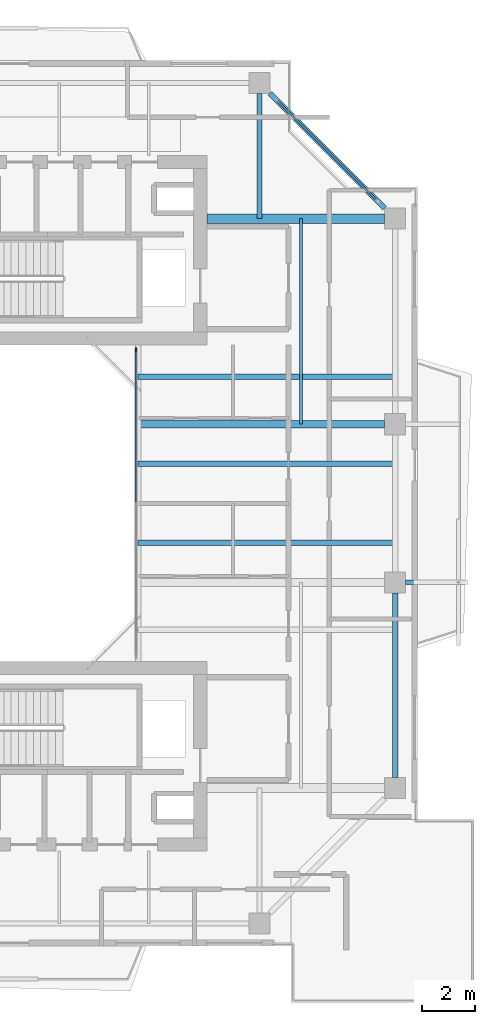
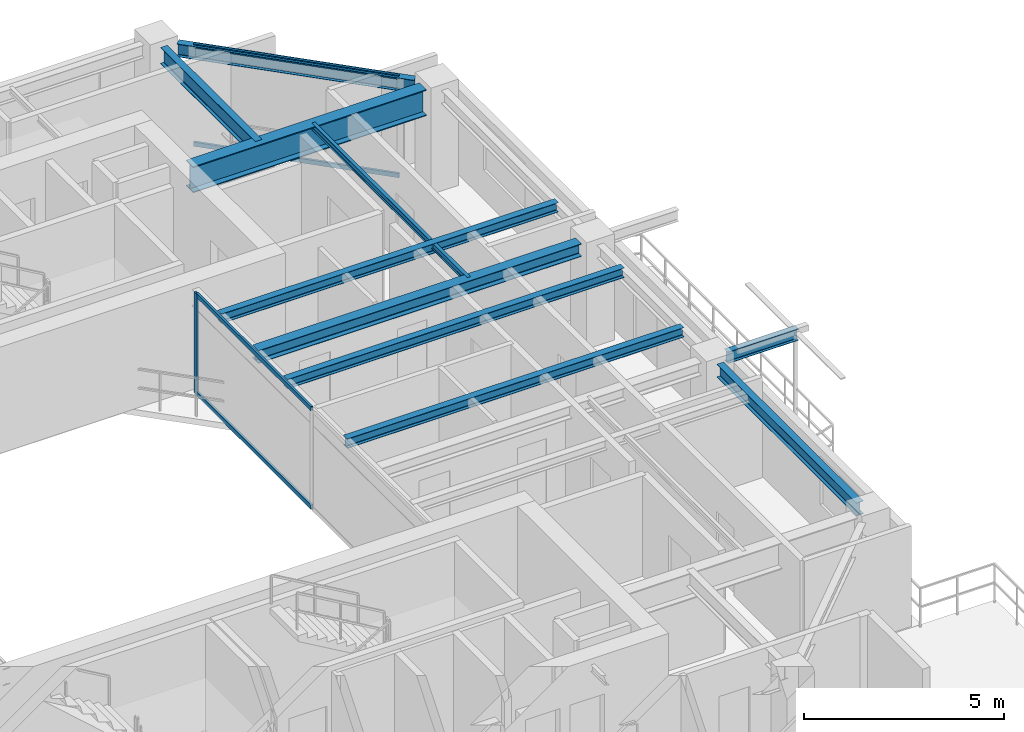
# One storey, part 6 of 16: 10 beams, 5 members, 2 elements without a shape of their own.
"""IFC4 building model written with IfcOpenShell, lengths in metres."""

from ifc_helpers import new_model, si_unit, direction, frame, origin, origin_2d, place, context, subcontext, project, spatial, rectangle, i_section, extrude, source, transform, mapped, material, layer, layer_set, material_profile, profile_set, type_object, element, aggregate, save


model = new_model("IFC4")

# Units and contexts
model_context = context("Model", 3, precision=1e-05, world=origin(), true_north=direction((0.0, 1.0)))
body_context = subcontext(model_context, "Body", "Model", "MODEL_VIEW")
ifc_project = project(units=[si_unit("LENGTHUNIT", "METRE"), si_unit("AREAUNIT", "SQUARE_METRE"), si_unit("VOLUMEUNIT", "CUBIC_METRE"), si_unit("PLANEANGLEUNIT", "RADIAN"), si_unit("MASSUNIT", "GRAM", prefix="KILO"), si_unit("THERMODYNAMICTEMPERATUREUNIT", "KELVIN"), si_unit("POWERUNIT", "WATT")], contexts=[model_context])

# Site, building, storey
site_placement = place(None, origin())
site = spatial("IfcSite", under=ifc_project, at=site_placement, CompositionType="ELEMENT")
building_placement = place(site_placement, origin())
building = spatial("IfcBuilding", under=site, at=building_placement, Name="Qiaomeng Ring Towers", CompositionType="ELEMENT")
storey_placement = place(building_placement, frame((0.0, 0.0, 203.5)))
storey = spatial("IfcBuildingStorey", under=building, at=storey_placement, Name="L59", CompositionType="ELEMENT", Elevation=203.5)

# Beams
ifc_material_1 = material(Name="Steel Q355B", Category="steel")
ifc_material_profile_1 = material_profile(ifc_material_1, i_section(OverallWidth=0.198974609375, OverallDepth=0.39599609375, WebThickness=0.007080078125, FlangeThickness=0.010986328125, FilletRadius=0.01611328125, at=origin_2d()), Name="HN 396x199x7x11")
ifc_profile_set_1 = profile_set([ifc_material_profile_1], Name="Steel Q355B")
beam_type_1 = type_object("IfcBeamType", Name="STR-BM-HN396", PredefinedType="SPANDREL", material=ifc_profile_set_1)
shared_shape_1 = source(origin(), body_context, "Body", "SweptSolid", [
    extrude(i_section(OverallWidth=0.198974609375, OverallDepth=0.39599609375, WebThickness=0.007080078125, FlangeThickness=0.010986328125, FilletRadius=0.01611328125, at=origin_2d()), origin(), (0.0, 0.0, 1.0), 6.154052734375),
])
beam_1_placement = place(storey_placement, frame((34.55078125, 34.19921875, 2.8720703125), z_axis=(-0.707106781187, 0.707106781187, 0.0), x_axis=(-0.707106781187, -0.707106781187, 0.0)))
element("IfcBeam", 1, at=beam_1_placement, inside=storey, type_object=beam_type_1, Name="L59 beam STR-SP-L59-T1-E4-N2", PredefinedType="SPANDREL", context=body_context, shape_type="MappedRepresentation", body=[
    mapped(shared_shape_1, transform((0.0, 0.0, 0.0), x_axis=(1.0, 0.0, 0.0), y_axis=(0.0, 1.0, 0.0), z_axis=(0.0, 0.0, 1.0), scale=1.0)),
])
shared_shape_2 = source(origin(), body_context, "Body", "SweptSolid", [
    extrude(i_section(OverallWidth=0.198974609375, OverallDepth=0.39599609375, WebThickness=0.007080078125, FlangeThickness=0.010986328125, FilletRadius=0.01611328125, at=origin_2d()), origin(), (0.0, 0.0, 1.0), 7.001953125),
])
beam_2_placement = place(storey_placement, frame((34.949951171875, 12.59912109375, 2.8720703125), z_axis=(0.0, 1.0, 0.0), x_axis=(-1.0, 0.0, 0.0)))
element("IfcBeam", 2, at=beam_2_placement, inside=storey, type_object=beam_type_1, Name="L59 beam STR-SP-L59-T1-E1-E2", PredefinedType="SPANDREL", context=body_context, shape_type="MappedRepresentation", body=[
    mapped(shared_shape_2, transform((0.0, 0.0, 0.0), x_axis=(1.0, 0.0, 0.0), y_axis=(0.0, 1.0, 0.0), z_axis=(0.0, 0.0, 1.0), scale=1.0)),
])
ifc_material_2 = material(Name="Steel Q390GJC", Category="steel")
ifc_material_profile_2 = material_profile(ifc_material_2, i_section(OverallWidth=0.35009765625, OverallDepth=0.800048828125, WebThickness=0.01611328125, FlangeThickness=0.028076171875, at=origin_2d()), Name="WH 800x350x16x28")
ifc_profile_set_2 = profile_set([ifc_material_profile_2], Name="Steel Q390GJC")
beam_type_2 = type_object("IfcBeamType", Name="STR-BM-WH800", PredefinedType="BEAM", material=ifc_profile_set_2)
shared_shape_3 = source(origin(), body_context, "Body", "SweptSolid", [
    extrude(i_section(OverallWidth=0.35009765625, OverallDepth=0.800048828125, WebThickness=0.01611328125, FlangeThickness=0.028076171875, at=origin_2d()), origin(), (0.0, 0.0, 1.0), 6.7509765625),
])
beam_3_placement = place(storey_placement, frame((27.800048828125, 33.800048828125, 2.669921875), z_axis=(1.0, 0.0, 0.0), x_axis=(0.0, 1.0, 0.0)))
element("IfcBeam", 3, at=beam_3_placement, inside=storey, type_object=beam_type_2, Name="L59 beam STR-BM-L59-T1-RAD-E4", PredefinedType="BEAM", context=body_context, shape_type="MappedRepresentation", body=[
    mapped(shared_shape_3, transform((0.0, 0.0, 0.0), x_axis=(1.0, 0.0, 0.0), y_axis=(0.0, 1.0, 0.0), z_axis=(0.0, 0.0, 1.0), scale=1.0)),
])
ifc_material_profile_3 = material_profile(ifc_material_1, i_section(OverallWidth=0.199951171875, OverallDepth=0.5, WebThickness=0.010009765625, FlangeThickness=0.01611328125, FilletRadius=0.02001953125, at=origin_2d()), Name="HN 500x200x10x16")
ifc_profile_set_3 = profile_set([ifc_material_profile_3], Name="Steel Q355B")
beam_type_3 = type_object("IfcBeamType", Name="STR-BM-HN500", PredefinedType="BEAM", material=ifc_profile_set_3)
shared_shape_4 = source(origin(), body_context, "Body", "SweptSolid", [
    extrude(i_section(OverallWidth=0.199951171875, OverallDepth=0.5, WebThickness=0.010009765625, FlangeThickness=0.01611328125, FilletRadius=0.02001953125, at=origin_2d()), origin(), (0.0, 0.0, 1.0), 4.7509765625),
])
beam_4_placement = place(storey_placement, frame((29.800048828125, 38.551025390625, 2.820068359375), z_axis=(0.0, -1.0, 0.0), x_axis=(1.0, 0.0, 0.0)))
element("IfcBeam", 4, at=beam_4_placement, inside=storey, type_object=beam_type_3, Name="L59 beam STR-BM-L59-T1-RAD-N2", PredefinedType="BEAM", context=body_context, shape_type="MappedRepresentation", body=[
    mapped(shared_shape_4, transform((0.0, 0.0, 0.0), x_axis=(1.0, 0.0, 0.0), y_axis=(0.0, 1.0, 0.0), z_axis=(0.0, 0.0, 1.0), scale=1.0)),
])
ifc_material_profile_4 = material_profile(ifc_material_1, i_section(OverallWidth=0.300048828125, OverallDepth=0.389892578125, WebThickness=0.010009765625, FlangeThickness=0.01611328125, FilletRadius=0.02197265625, at=origin_2d()), Name="HM 390x300x10x16")
ifc_profile_set_4 = profile_set([ifc_material_profile_4], Name="Steel Q355B")
beam_type_4 = type_object("IfcBeamType", Name="STR-BM-HM390", PredefinedType="BEAM", material=ifc_profile_set_4)
shared_shape_5 = source(origin(), body_context, "Body", "SweptSolid", [
    extrude(i_section(OverallWidth=0.300048828125, OverallDepth=0.389892578125, WebThickness=0.010009765625, FlangeThickness=0.01611328125, FilletRadius=0.02197265625, at=origin_2d()), origin(), (0.0, 0.0, 1.0), 9.35107421875),
])
beam_5_placement = place(storey_placement, frame((25.199951171875, 26.0, 2.875), z_axis=(1.0, 0.0, 0.0), x_axis=(0.0, 1.0, 0.0)))
element("IfcBeam", 5, at=beam_5_placement, inside=storey, type_object=beam_type_4, Name="L59 beam STR-BM-L59-T1-RAD-E3", PredefinedType="BEAM", context=body_context, shape_type="MappedRepresentation", body=[
    mapped(shared_shape_5, transform((0.0, 0.0, 0.0), x_axis=(1.0, 0.0, 0.0), y_axis=(0.0, 1.0, 0.0), z_axis=(0.0, 0.0, 1.0), scale=1.0)),
])
ifc_material_profile_5 = material_profile(ifc_material_1, i_section(OverallWidth=0.175048828125, OverallDepth=0.35009765625, WebThickness=0.007080078125, FlangeThickness=0.010986328125, FilletRadius=0.013916015625, at=origin_2d()), Name="HN 350x175x7x11")
ifc_profile_set_5 = profile_set([ifc_material_profile_5], Name="Steel Q355B")
beam_type_5 = type_object("IfcBeamType", Name="STR-BM-HN350", PredefinedType="JOIST", material=ifc_profile_set_5)
shared_shape_6 = source(origin(), body_context, "Body", "SweptSolid", [
    extrude(i_section(OverallWidth=0.175048828125, OverallDepth=0.35009765625, WebThickness=0.007080078125, FlangeThickness=0.010986328125, FilletRadius=0.013916015625, at=origin_2d()), origin(), (0.0, 0.0, 1.0), 2.05078125),
])
beam_6_placement = place(storey_placement, frame((35.34912109375, 20.0, 2.89501953125), z_axis=(1.0, 0.0, 0.0), x_axis=(0.0, 1.0, 0.0)))
element("IfcBeam", 6, at=beam_6_placement, inside=storey, type_object=beam_type_5, Name="L59 beam STR-BALBM-L59-E2", PredefinedType="JOIST", context=body_context, shape_type="MappedRepresentation", body=[
    mapped(shared_shape_6, transform((0.0, 0.0, 0.0), x_axis=(1.0, 0.0, 0.0), y_axis=(0.0, 1.0, 0.0), z_axis=(0.0, 0.0, 1.0), scale=1.0)),
])
ifc_material_profile_6 = material_profile(ifc_material_1, i_section(OverallWidth=0.199951171875, OverallDepth=0.2939453125, WebThickness=0.008056640625, FlangeThickness=0.011962890625, FilletRadius=0.01806640625, at=origin_2d()), Name="HM 294x200x8x12")
ifc_profile_set_6 = profile_set([ifc_material_profile_6], Name="Steel Q355B")
beam_type_6 = type_object("IfcBeamType", Name="STR-BM-HM294", PredefinedType="JOIST", material=ifc_profile_set_6)
shared_shape_7 = source(origin(), body_context, "Body", "SweptSolid", [
    extrude(i_section(OverallWidth=0.199951171875, OverallDepth=0.2939453125, WebThickness=0.008056640625, FlangeThickness=0.011962890625, FilletRadius=0.01806640625, at=origin_2d()), origin(), (0.0, 0.0, 1.0), 9.75),
])
for number, where, z_axis, x_axis, name in (
    (7, (25.199951171875, 21.5, 2.923095703125), (1.0, 0.0, 0.0), (0.0, 1.0, 0.0), "L59 beam STR-JST-L59-T1E-2"),
    (8, (25.199951171875, 24.5, 2.923095703125), (1.0, 0.0, 0.0), (0.0, 1.0, 0.0), "L59 beam STR-JST-L59-T1E-3"),
    (9, (25.199951171875, 27.800048828125, 2.923095703125), (1.0, 0.0, 0.0), (0.0, 1.0, 0.0), "L59 beam STR-JST-L59-T1E-4"),
):
    element("IfcBeam", number, at=place(storey_placement, frame(where, z_axis=z_axis, x_axis=x_axis)), inside=storey, type_object=beam_type_6, Name=name, PredefinedType="JOIST", context=body_context, shape_type="MappedRepresentation", body=[
        mapped(shared_shape_7, transform((0.0, 0.0, 0.0), x_axis=(1.0, 0.0, 0.0), y_axis=(0.0, 1.0, 0.0), z_axis=(0.0, 0.0, 1.0), scale=1.0)),
    ])
ifc_material_profile_7 = material_profile(ifc_material_1, i_section(OverallWidth=0.10009765625, OverallDepth=0.199951171875, WebThickness=0.005615234375, FlangeThickness=0.008056640625, FilletRadius=0.010986328125, at=origin_2d()), Name="HN 200x100x5.5x8")
ifc_profile_set_7 = profile_set([ifc_material_profile_7], Name="Steel Q355B")
beam_type_7 = type_object("IfcBeamType", Name="STR-BM-HN200", PredefinedType="JOIST", material=ifc_profile_set_7)
shared_shape_8 = source(origin(), body_context, "Body", "SweptSolid", [
    extrude(i_section(OverallWidth=0.10009765625, OverallDepth=0.199951171875, WebThickness=0.005615234375, FlangeThickness=0.008056640625, FilletRadius=0.010986328125, at=origin_2d()), origin(), (0.0, 0.0, 1.0), 7.800048828125),
])
beam_7_placement = place(storey_placement, frame((31.375, 26.0, 2.969970703125), z_axis=(0.0, 1.0, 0.0), x_axis=(-1.0, 0.0, 0.0)))
element("IfcBeam", 10, at=beam_7_placement, inside=storey, type_object=beam_type_7, Name="L59 beam STR-JST-L59-T1C-EN", PredefinedType="JOIST", context=body_context, shape_type="MappedRepresentation", body=[
    mapped(shared_shape_8, transform((0.0, 0.0, 0.0), x_axis=(1.0, 0.0, 0.0), y_axis=(0.0, 1.0, 0.0), z_axis=(0.0, 0.0, 1.0), scale=1.0)),
])

# Curtain wall, members
ifc_material_3 = material(Name="Fluorocarbon dark-grey aluminium", Category="aluminium")
ifc_layer_1 = layer(ifc_material_3, 0.139892578125, Name="Fluorocarbon dark-grey aluminium")
ifc_layer_set_1 = layer_set([ifc_layer_1], Name="Fluorocarbon dark-grey aluminium")
curtain_wall_type_1 = type_object("IfcCurtainWallType", Name="ARC-CW-4", PredefinedType="NOTDEFINED", material=ifc_layer_set_1)
curtain_wall_1_placement = place(storey_placement, origin())
curtain_wall_1 = element("IfcCurtainWall", 11, at=curtain_wall_1_placement, inside=storey, type_object=curtain_wall_type_1, Name="L59 Curtain Wall CW4", PredefinedType="NOTDEFINED")
ifc_material_profile_8 = material_profile(ifc_material_3, rectangle(XDim=0.06494140625, YDim=0.159912109375, at=origin_2d()), Name="ALU MULL 65x160")
ifc_profile_set_8 = profile_set([ifc_material_profile_8], Name="Fluorocarbon dark-grey aluminium")
member_type_1 = type_object("IfcMemberType", Name="ARC-CWM-140", PredefinedType="MULLION", material=ifc_profile_set_8)
shared_shape_9 = source(origin(), body_context, "Body", "SweptSolid", [
    extrude(rectangle(XDim=0.06494140625, YDim=0.159912109375, at=origin_2d()), origin(), (0.0, 0.0, 1.0), 3.070068359375),
])
member_1_placement = place(storey_placement, frame((25.1201171875, 28.8173828125, 0.0), z_axis=(0.0, 0.0, 1.0), x_axis=(-1.0, 0.0, 0.0)))
member_1 = element("IfcMember", 12, at=member_1_placement, type_object=member_type_1, Name="CW4 mullion 3", PredefinedType="MULLION", context=body_context, shape_type="MappedRepresentation", body=[
    mapped(shared_shape_9, transform((0.0, 0.0, 0.0), x_axis=(1.0, 0.0, 0.0), y_axis=(0.0, 1.0, 0.0), z_axis=(0.0, 0.0, 1.0), scale=1.0)),
])
ifc_material_profile_9 = material_profile(ifc_material_3, rectangle(XDim=0.06494140625, YDim=0.1298828125, at=origin_2d()), Name="ALU TRAN 65x130")
ifc_profile_set_9 = profile_set([ifc_material_profile_9], Name="Fluorocarbon dark-grey aluminium")
member_type_2 = type_object("IfcMemberType", Name="ARC-CWT-120", PredefinedType="USERDEFINED", material=ifc_profile_set_9)
shared_shape_10 = source(origin(), body_context, "Body", "SweptSolid", [
    extrude(rectangle(XDim=0.06494140625, YDim=0.1298828125, at=origin_2d()), origin(), (0.0, 0.0, 1.0), 5.75244140625),
])
member_2_placement = place(storey_placement, frame((25.1201171875, 23.032470703125, 0.032470703125), z_axis=(0.0, 1.0, 0.0), x_axis=(-1.0, 0.0, 0.0)))
member_2 = element("IfcMember", 13, at=member_2_placement, type_object=member_type_2, Name="CW4 transom 2.1", ObjectType="TRANSOM", PredefinedType="USERDEFINED", context=body_context, shape_type="MappedRepresentation", body=[
    mapped(shared_shape_10, transform((0.0, 0.0, 0.0), x_axis=(1.0, 0.0, 0.0), y_axis=(0.0, 1.0, 0.0), z_axis=(0.0, 0.0, 1.0), scale=1.0)),
])
member_3_placement = place(storey_placement, frame((25.1201171875, 23.032470703125, 3.03759765625), z_axis=(0.0, 1.0, 0.0), x_axis=(-1.0, 0.0, 0.0)))
member_3 = element("IfcMember", 14, at=member_3_placement, type_object=member_type_2, Name="CW4 transom 2.2", ObjectType="TRANSOM", PredefinedType="USERDEFINED", context=body_context, shape_type="MappedRepresentation", body=[
    mapped(shared_shape_10, transform((0.0, 0.0, 0.0), x_axis=(1.0, 0.0, 0.0), y_axis=(0.0, 1.0, 0.0), z_axis=(0.0, 0.0, 1.0), scale=1.0)),
])
aggregate(curtain_wall_1, [member_1, member_2, member_3])

ifc_layer_2 = layer(ifc_material_3, 0.14990234375, Name="Fluorocarbon dark-grey aluminium")
ifc_layer_set_2 = layer_set([ifc_layer_2], Name="Fluorocarbon dark-grey aluminium")
curtain_wall_type_2 = type_object("IfcCurtainWallType", Name="ARC-CW-3", PredefinedType="NOTDEFINED", material=ifc_layer_set_2)
curtain_wall_2_placement = place(storey_placement, origin())
curtain_wall_2 = element("IfcCurtainWall", 15, at=curtain_wall_2_placement, inside=storey, type_object=curtain_wall_type_2, Name="L59 Curtain Wall CW3", PredefinedType="NOTDEFINED")
shared_shape_11 = source(origin(), body_context, "Body", "SweptSolid", [
    extrude(rectangle(XDim=0.06494140625, YDim=0.1298828125, at=origin_2d()), origin(), (0.0, 0.0, 1.0), 5.3330078125),
])
member_4_placement = place(storey_placement, frame((34.260498046875, 34.489501953125, 0.032470703125), z_axis=(-0.707106781187, 0.707106781187, 0.0), x_axis=(-0.707106781187, -0.707106781187, 0.0)))
member_4 = element("IfcMember", 16, at=member_4_placement, type_object=member_type_2, Name="CW3 transom 1.1", ObjectType="TRANSOM", PredefinedType="USERDEFINED", context=body_context, shape_type="MappedRepresentation", body=[
    mapped(shared_shape_11, transform((0.0, 0.0, 0.0), x_axis=(1.0, 0.0, 0.0), y_axis=(0.0, 1.0, 0.0), z_axis=(0.0, 0.0, 1.0), scale=1.0)),
])
member_5_placement = place(storey_placement, frame((34.260498046875, 34.489501953125, 3.03759765625), z_axis=(-0.707106781187, 0.707106781187, 0.0), x_axis=(-0.707106781187, -0.707106781187, 0.0)))
member_5 = element("IfcMember", 17, at=member_5_placement, type_object=member_type_2, Name="CW3 transom 1.2", ObjectType="TRANSOM", PredefinedType="USERDEFINED", context=body_context, shape_type="MappedRepresentation", body=[
    mapped(shared_shape_11, transform((0.0, 0.0, 0.0), x_axis=(1.0, 0.0, 0.0), y_axis=(0.0, 1.0, 0.0), z_axis=(0.0, 0.0, 1.0), scale=1.0)),
])
aggregate(curtain_wall_2, [member_4, member_5])

save(model, "model.ifc")
